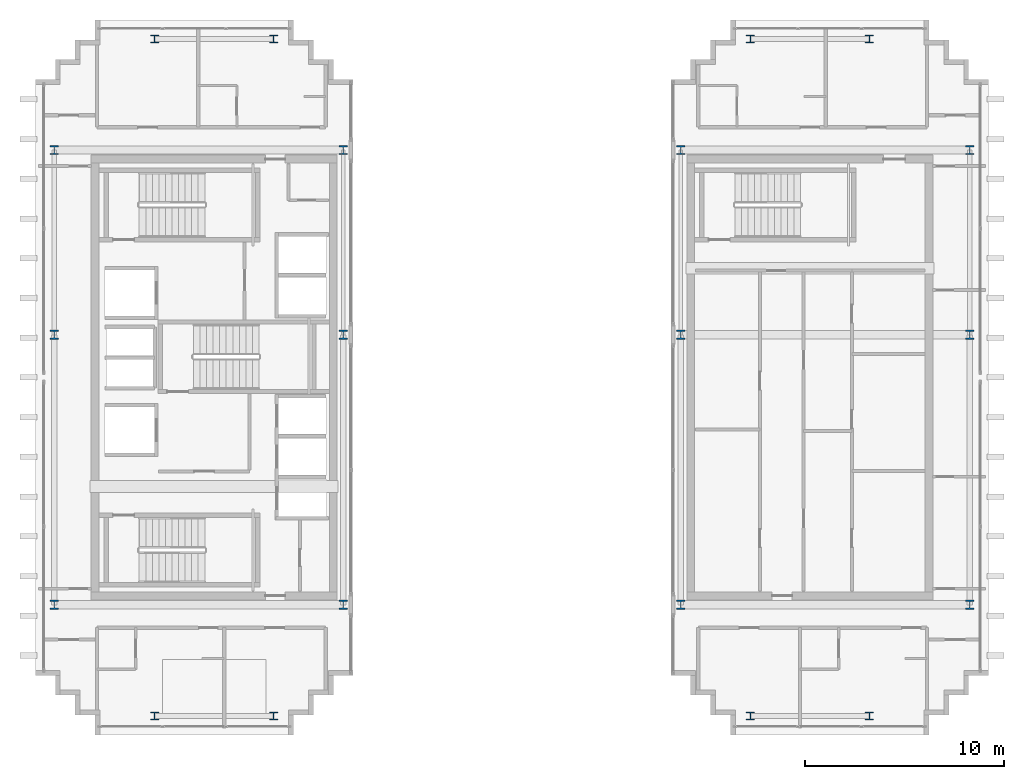
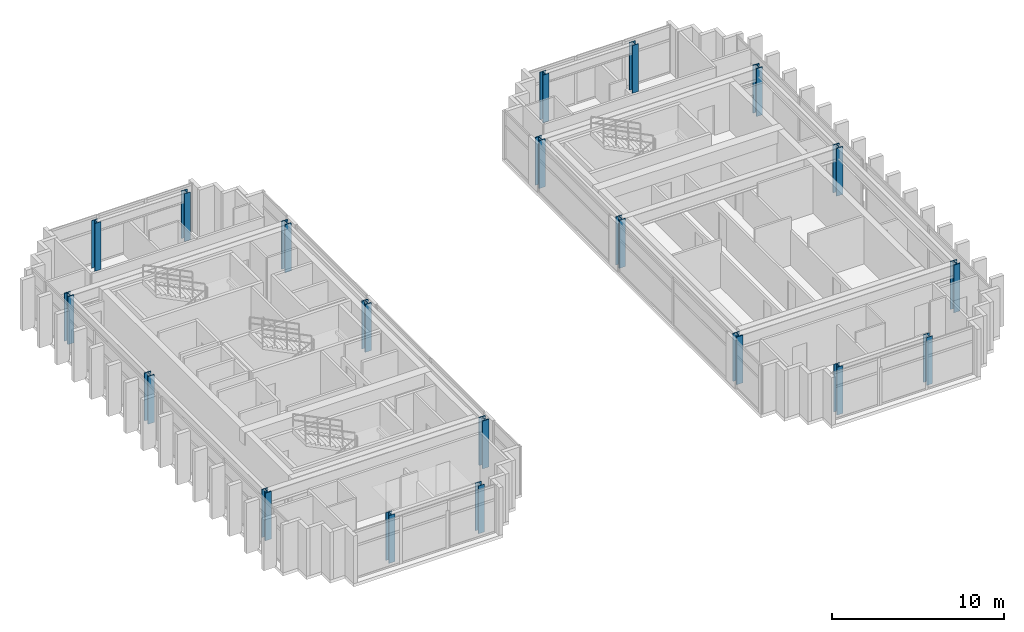
# One storey, part 1 of 25: 20 columns.
"""IFC4 building model written with IfcOpenShell, lengths in metres."""

from ifc_helpers import new_model, si_unit, direction, frame, origin, origin_2d, place, context, subcontext, project, spatial, i_section, extrude, source, transform, mapped, material, material_profile, profile_set, type_object, element, save


model = new_model("IFC4")

# Units and contexts
model_context = context("Model", 3, precision=1e-05, world=origin(), true_north=direction((0.0, 1.0)))
body_context = subcontext(model_context, "Body", "Model", "MODEL_VIEW")
ifc_project = project(units=[si_unit("LENGTHUNIT", "METRE"), si_unit("AREAUNIT", "SQUARE_METRE"), si_unit("VOLUMEUNIT", "CUBIC_METRE"), si_unit("PLANEANGLEUNIT", "RADIAN"), si_unit("MASSUNIT", "GRAM", prefix="KILO")], contexts=[model_context])

# Site, building, storey
site_placement = place(None, origin())
site = spatial("IfcSite", under=ifc_project, at=site_placement, CompositionType="ELEMENT")
building_placement = place(site_placement, origin())
building = spatial("IfcBuilding", under=site, at=building_placement, Name="Ocotamira Hotel", CompositionType="ELEMENT")
storey_placement = place(building_placement, frame((0.0, 0.0, 261.60009765625)))
storey = spatial("IfcBuildingStorey", under=building, at=storey_placement, Name="L66", CompositionType="ELEMENT", Elevation=261.60009765625)

# Columns
ifc_material_1 = material(Name="Steel ASTM A913 Grade 65", Category="steel")
ifc_material_profile_1 = material_profile(ifc_material_1, i_section(OverallWidth=0.422119140625, OverallDepth=0.465087890625, WebThickness=0.044921875, FlangeThickness=0.072509765625, FilletRadius=0.02490234375, at=origin_2d()), Name="W14X398")
ifc_profile_set_1 = profile_set([ifc_material_profile_1], Name="Steel ASTM A913 Grade 65")
column_type_1 = type_object("IfcColumnType", Name="COL-W14X398", PredefinedType="COLUMN", material=ifc_profile_set_1)
shared_shape_1 = source(origin(), body_context, "Body", "SweptSolid", [
    extrude(i_section(OverallWidth=0.422119140625, OverallDepth=0.465087890625, WebThickness=0.044921875, FlangeThickness=0.072509765625, FilletRadius=0.02490234375, at=origin_2d()), origin(), (0.0, 0.0, 1.0), 3.3798828125),
])
for number, where, z_axis, x_axis, name in (
    (1, (8.949951171875, 14.550048828125, 0.0), (0.0, 0.0, 1.0), (1.0, 0.0, 0.0), "L66 Column TW8_14"),
    (2, (23.5, 14.550048828125, 0.0), (0.0, 0.0, 1.0), (1.0, 0.0, 0.0), "L66 Column TW23_14"),
    (3, (40.5, 14.550048828125, 0.0), (0.0, 0.0, 1.0), (1.0, 0.0, 0.0), "L66 Column TE40_14"),
    (4, (55.050048828125, 14.550048828125, 0.0), (0.0, 0.0, 1.0), (1.0, 0.0, 0.0), "L66 Column TE55_14"),
    (5, (8.949951171875, 28.14990234375, 0.0), (0.0, 0.0, 1.0), (1.0, 0.0, 0.0), "L66 Column TW8_28"),
    (6, (23.5, 28.14990234375, 0.0), (0.0, 0.0, 1.0), (1.0, 0.0, 0.0), "L66 Column TW23_28"),
    (7, (40.5, 28.14990234375, 0.0), (0.0, 0.0, 1.0), (1.0, 0.0, 0.0), "L66 Column TE40_28"),
    (8, (55.050048828125, 28.14990234375, 0.0), (0.0, 0.0, 1.0), (1.0, 0.0, 0.0), "L66 Column TE55_28"),
    (9, (8.949951171875, 37.449951171875, 0.0), (0.0, 0.0, 1.0), (1.0, 0.0, 0.0), "L66 Column TW8_37"),
    (10, (23.5, 37.449951171875, 0.0), (0.0, 0.0, 1.0), (1.0, 0.0, 0.0), "L66 Column TW23_37"),
    (11, (40.5, 37.449951171875, 0.0), (0.0, 0.0, 1.0), (1.0, 0.0, 0.0), "L66 Column TE40_37"),
    (12, (55.050048828125, 37.449951171875, 0.0), (0.0, 0.0, 1.0), (1.0, 0.0, 0.0), "L66 Column TE55_37"),
):
    element("IfcColumn", number, at=place(storey_placement, frame(where, z_axis=z_axis, x_axis=x_axis)), inside=storey, type_object=column_type_1, Name=name, PredefinedType="COLUMN", context=body_context, shape_type="MappedRepresentation", body=[
        mapped(shared_shape_1, transform((0.0, 0.0, 0.0), scale=1.0)),
    ])
ifc_material_2 = material(Name="Steel ASTM A992 Grade 50", Category="steel")
ifc_material_profile_2 = material_profile(ifc_material_2, i_section(OverallWidth=0.39892578125, OverallDepth=0.386962890625, WebThickness=0.02099609375, FlangeThickness=0.033203125, FilletRadius=0.02490234375, at=origin_2d()), Name="W14X176")
ifc_profile_set_2 = profile_set([ifc_material_profile_2], Name="Steel ASTM A992 Grade 50")
column_type_2 = type_object("IfcColumnType", Name="COL-W14X176", PredefinedType="COLUMN", material=ifc_profile_set_2)
shared_shape_2 = source(origin(), body_context, "Body", "SweptSolid", [
    extrude(i_section(OverallWidth=0.39892578125, OverallDepth=0.386962890625, WebThickness=0.02099609375, FlangeThickness=0.033203125, FilletRadius=0.02490234375, at=origin_2d()), origin(), (0.0, 0.0, 1.0), 3.3798828125),
])
for number, where, z_axis, x_axis, name in (
    (13, (14.0, 8.949951171875, 0.0), (0.0, 0.0, 1.0), (1.0, 0.0, 0.0), "L66 Column NSP1_14"),
    (14, (20.0, 8.949951171875, 0.0), (0.0, 0.0, 1.0), (1.0, 0.0, 0.0), "L66 Column NSP1_20"),
    (15, (44.0, 8.949951171875, 0.0), (0.0, 0.0, 1.0), (1.0, 0.0, 0.0), "L66 Column NSP1_44"),
    (16, (50.0, 8.949951171875, 0.0), (0.0, 0.0, 1.0), (1.0, 0.0, 0.0), "L66 Column NSP1_50"),
    (17, (14.0, 43.050048828125, 0.0), (0.0, 0.0, 1.0), (1.0, 0.0, 0.0), "L66 Column NSP2_14"),
    (18, (20.0, 43.050048828125, 0.0), (0.0, 0.0, 1.0), (1.0, 0.0, 0.0), "L66 Column NSP2_20"),
    (19, (44.0, 43.050048828125, 0.0), (0.0, 0.0, 1.0), (1.0, 0.0, 0.0), "L66 Column NSP2_44"),
    (20, (50.0, 43.050048828125, 0.0), (0.0, 0.0, 1.0), (1.0, 0.0, 0.0), "L66 Column NSP2_50"),
):
    element("IfcColumn", number, at=place(storey_placement, frame(where, z_axis=z_axis, x_axis=x_axis)), inside=storey, type_object=column_type_2, Name=name, PredefinedType="COLUMN", context=body_context, shape_type="MappedRepresentation", body=[
        mapped(shared_shape_2, transform((0.0, 0.0, 0.0), scale=1.0)),
    ])

save(model, "model.ifc")
